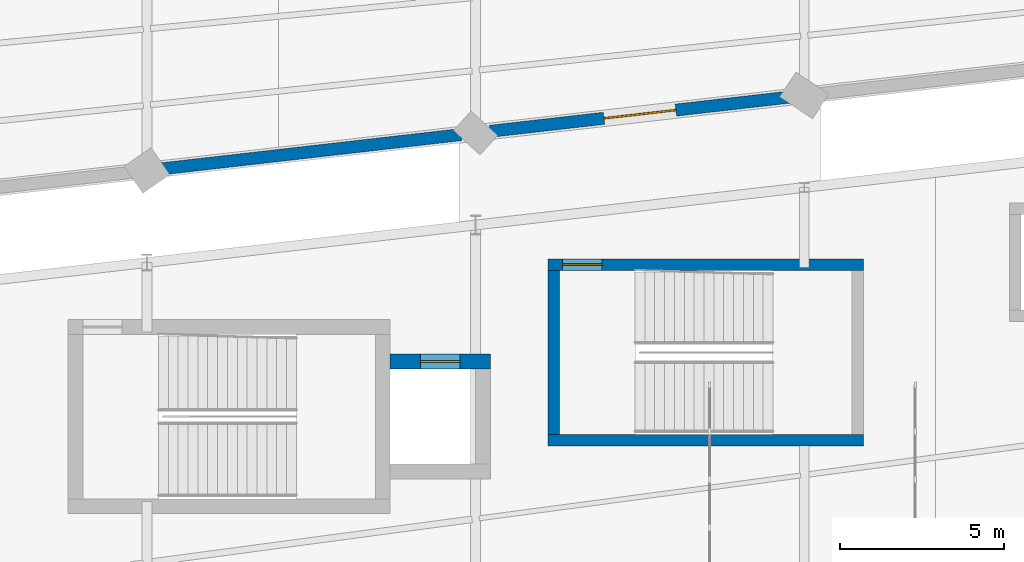
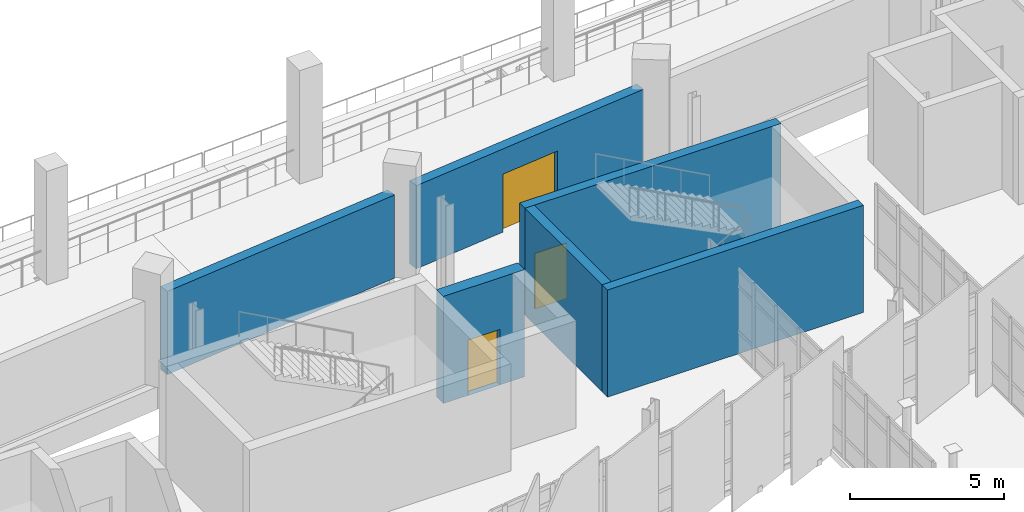
# One storey, part 110 of 134: 6 walls, 3 doors, 3 openings.
"""IFC4 building model written with IfcOpenShell, lengths in metres."""

from ifc_helpers import new_model, si_unit, direction, frame, frame_2d, origin, place, context, subcontext, project, spatial, rectangle, extrude, material, layer, layer_set, type_object, element, fill, save


model = new_model("IFC4")

# Units and contexts
model_context = context("Model", 3, precision=1e-05, world=origin(), true_north=direction((0.0, 1.0)))
body_context = subcontext(model_context, "Body", "Model", "MODEL_VIEW")
ifc_project = project(units=[si_unit("LENGTHUNIT", "METRE"), si_unit("AREAUNIT", "SQUARE_METRE"), si_unit("VOLUMEUNIT", "CUBIC_METRE"), si_unit("PLANEANGLEUNIT", "RADIAN"), si_unit("MASSUNIT", "GRAM", prefix="KILO")], contexts=[model_context])

# Site, building, storey
site_placement = place(None, origin())
site = spatial("IfcSite", under=ifc_project, at=site_placement, CompositionType="ELEMENT")
building_placement = place(site_placement, origin())
building = spatial("IfcBuilding", under=site, at=building_placement, Name="Sohan Crest Arena", CompositionType="ELEMENT")
storey_placement = place(building_placement, frame((0.0, 0.0, 4.5)))
storey = spatial("IfcBuildingStorey", under=building, at=storey_placement, Name="L01", CompositionType="ELEMENT", Elevation=4.5)

# Wall
ifc_material_1 = material(Name="Acoustic insulated bowl drum enclosure wall", Category="masonry")
ifc_layer_1 = layer(ifc_material_1, 0.3701171875, Name="Acoustic insulated bowl drum enclosure wall")
ifc_layer_set_1 = layer_set([ifc_layer_1], Name="Acoustic insulated bowl drum enclosure wall")
wall_type_1 = type_object("IfcWallType", Name="WAL-EW05", PredefinedType="SOLIDWALL", material=ifc_layer_set_1)
wall_1_placement = place(storey_placement, frame((118.43701171875, 49.3359375, 0.0), z_axis=(0.0, 0.0, 1.0), x_axis=(0.993532672656, 0.113546591161, 0.0)))
element("IfcWall", 1, at=wall_1_placement, inside=storey, type_object=wall_type_1, Name="Acoustic bowl drum wall BW-L01-15", PredefinedType="SOLIDWALL", context=body_context, shape_type="SweptSolid", body=[
    extrude(rectangle(XDim=9.185302734375, YDim=0.3701171875, at=frame_2d((4.5927734375, 0.0))), origin(), (0.0, 0.0, 1.0), 3.300048828125),
])

# Wall, opening, door
wall_2_placement = place(storey_placement, frame((128.43701171875, 50.47900390625, 0.0), z_axis=(0.0, 0.0, 1.0), x_axis=(0.993544661122, 0.113441642955, 0.0)))
wall_2 = element("IfcWall", 2, at=wall_2_placement, inside=storey, type_object=wall_type_1, Name="Acoustic bowl drum wall BW-L01-16", PredefinedType="SOLIDWALL", context=body_context, shape_type="SweptSolid", body=[
    extrude(rectangle(XDim=9.185302734375, YDim=0.3701171875, at=frame_2d((4.5927734375, 0.0))), origin(), (0.0, 0.0, 1.0), 3.300048828125),
])
opening_1_placement = place(wall_2_placement, frame((3.492919921875, 0.0, 0.0)))
opening_1 = element("IfcOpeningElement", 3, at=opening_1_placement, cuts=wall_2, Name="Opening VD-L01-16", PredefinedType="OPENING", context=body_context, shape_type="SweptSolid", body=[
    extrude(rectangle(XDim=2.199951171875, YDim=2.300048828125, at=frame_2d((1.10009765625, 1.14990234375))), frame((0.0, 0.195068359375, 0.0), z_axis=(0.0, -1.0, 0.0), x_axis=(1.0, 0.0, 0.0)), (0.0, 0.0, 1.0), 0.39013671875),
])
ifc_material_2 = material(Name="Fire-rated steel double escape door", Category="steel")
door_type_1 = type_object("IfcDoorType", Name="DR-FD01", OperationType="DOUBLE_DOOR_SINGLE_SWING", PredefinedType="DOOR", material=ifc_material_2)
door_1_placement = place(opening_1_placement, origin())
door_1 = element("IfcDoor", 4, at=door_1_placement, inside=storey, type_object=door_type_1, Name="Bowl vomitory portal fire door VD-L01-16", OperationType="DOUBLE_DOOR_SINGLE_SWING", OverallHeight=2.300048828125, OverallWidth=2.199951171875, PredefinedType="DOOR", context=body_context, shape_type="SweptSolid", body=[
    extrude(rectangle(XDim=2.199951171875, YDim=2.300048828125, at=frame_2d((1.10009765625, 1.14990234375))), frame((0.0, 0.02490234375, 0.0), z_axis=(0.0, -1.0, 0.0), x_axis=(1.0, 0.0, 0.0)), (0.0, 0.0, 1.0), 0.050048828125),
])
fill(opening_1, door_1)

# Walls
ifc_material_3 = material(Name="Concrete C40/50", Category="concrete")
ifc_layer_2 = layer(ifc_material_3, 0.35009765625, Name="Concrete C40/50")
ifc_layer_set_2 = layer_set([ifc_layer_2], Name="Concrete C40/50")
wall_type_2 = type_object("IfcWallType", Name="WAL-SW02", PredefinedType="SHEAR", material=ifc_layer_set_2)
wall_3_placement = place(storey_placement, frame((130.375, 41.25, 0.0), z_axis=(0.0, 0.0, 1.0), x_axis=(0.0, 1.0, 0.0)))
element("IfcWall", 5, at=wall_3_placement, inside=storey, type_object=wall_type_2, Name="Core shear wall SW-0789", PredefinedType="SHEAR", context=body_context, shape_type="SweptSolid", body=[
    extrude(rectangle(XDim=5.0, YDim=0.35009765625, at=frame_2d((2.5, 0.0))), origin(), (0.0, 0.0, 1.0), 4.25),
])
wall_4_placement = place(storey_placement, frame((130.199951171875, 41.074951171875, 0.0), z_axis=(0.0, 0.0, 1.0), x_axis=(1.0, 0.0, 0.0)))
element("IfcWall", 6, at=wall_4_placement, inside=storey, type_object=wall_type_2, Name="Core shear wall SW-0791", PredefinedType="SHEAR", context=body_context, shape_type="SweptSolid", body=[
    extrude(rectangle(XDim=9.60009765625, YDim=0.35009765625, at=frame_2d((4.800048828125, 0.0))), origin(), (0.0, 0.0, 1.0), 4.25),
])

# Wall, opening, door
wall_5_placement = place(storey_placement, frame((130.199951171875, 46.425048828125, 0.0), z_axis=(0.0, 0.0, 1.0), x_axis=(1.0, 0.0, 0.0)))
wall_5 = element("IfcWall", 7, at=wall_5_placement, inside=storey, type_object=wall_type_2, Name="Core shear wall SW-0792", PredefinedType="SHEAR", context=body_context, shape_type="SweptSolid", body=[
    extrude(rectangle(XDim=9.60009765625, YDim=0.35009765625, at=frame_2d((4.800048828125, 0.0))), origin(), (0.0, 0.0, 1.0), 4.25),
])
opening_2_placement = place(wall_5_placement, frame((0.449951171875, 0.0, 0.0)))
opening_2 = element("IfcOpeningElement", 8, at=opening_2_placement, cuts=wall_5, Name="Opening SD-0213", PredefinedType="OPENING", context=body_context, shape_type="SweptSolid", body=[
    extrude(rectangle(XDim=1.199951171875, YDim=2.199951171875, at=frame_2d((0.60009765625, 1.10009765625))), frame((0.0, 0.18505859375, 0.0), z_axis=(0.0, -1.0, 0.0), x_axis=(1.0, 0.0, 0.0)), (0.0, 0.0, 1.0), 0.3701171875),
])
ifc_material_4 = material(Name="Fire-rated steel stair and lobby door", Category="steel")
door_type_2 = type_object("IfcDoorType", Name="DR-FD04", OperationType="NOTDEFINED", PredefinedType="DOOR", material=ifc_material_4)
door_2_placement = place(opening_2_placement, origin())
door_2 = element("IfcDoor", 9, at=door_2_placement, inside=storey, type_object=door_type_2, Name="Protected stair door SD-0213", OperationType="SINGLE_SWING_LEFT", OverallHeight=2.199951171875, OverallWidth=1.199951171875, PredefinedType="DOOR", context=body_context, shape_type="SweptSolid", body=[
    extrude(rectangle(XDim=1.199951171875, YDim=2.199951171875, at=frame_2d((0.60009765625, 1.10009765625))), frame((0.0, 0.02490234375, 0.0), z_axis=(0.0, -1.0, 0.0), x_axis=(1.0, 0.0, 0.0)), (0.0, 0.0, 1.0), 0.050048828125),
])
fill(opening_2, door_2)

ifc_layer_3 = layer(ifc_material_3, 0.449951171875, Name="Concrete C40/50")
ifc_layer_set_3 = layer_set([ifc_layer_3], Name="Concrete C40/50")
wall_type_3 = type_object("IfcWallType", Name="WAL-SW04", PredefinedType="SHEAR", material=ifc_layer_set_3)
wall_6_placement = place(storey_placement, frame((125.39990234375, 43.47509765625, 0.0), z_axis=(0.0, 0.0, 1.0), x_axis=(1.0, 0.0, 0.0)))
wall_6 = element("IfcWall", 10, at=wall_6_placement, inside=storey, type_object=wall_type_3, Name="Core shear wall SW-0348", PredefinedType="SHEAR", context=body_context, shape_type="SweptSolid", body=[
    extrude(rectangle(XDim=3.050048828125, YDim=0.449951171875, at=frame_2d((1.52490234375, 0.0))), origin(), (0.0, 0.0, 1.0), 4.25),
])
opening_3_placement = place(wall_6_placement, frame((0.925048828125, 0.0, 0.0)))
opening_3 = element("IfcOpeningElement", 11, at=opening_3_placement, cuts=wall_6, Name="Opening LD-LP05-L01", PredefinedType="OPENING", context=body_context, shape_type="SweptSolid", body=[
    extrude(rectangle(XDim=1.199951171875, YDim=2.199951171875, at=frame_2d((0.60009765625, 1.10009765625))), frame((0.0, 0.23486328125, 0.0), z_axis=(0.0, -1.0, 0.0), x_axis=(1.0, 0.0, 0.0)), (0.0, 0.0, 1.0), 0.469970703125),
])
ifc_material_5 = material(Name="Stainless steel passenger lift landing door", Category="steel")
door_type_3 = type_object("IfcDoorType", Name="DR-LD02", OperationType="SLIDING_TO_LEFT", PredefinedType="DOOR", material=ifc_material_5)
door_3_placement = place(opening_3_placement, origin())
door_3 = element("IfcDoor", 12, at=door_3_placement, inside=storey, type_object=door_type_3, Name="Sliding lift landing door LD-LP05-L01", OperationType="SLIDING_TO_LEFT", OverallHeight=2.199951171875, OverallWidth=1.199951171875, PredefinedType="DOOR", context=body_context, shape_type="SweptSolid", body=[
    extrude(rectangle(XDim=1.199951171875, YDim=2.199951171875, at=frame_2d((0.60009765625, 1.10009765625))), frame((0.0, 0.02490234375, 0.0), z_axis=(0.0, -1.0, 0.0), x_axis=(1.0, 0.0, 0.0)), (0.0, 0.0, 1.0), 0.050048828125),
])
fill(opening_3, door_3)

save(model, "model.ifc")
